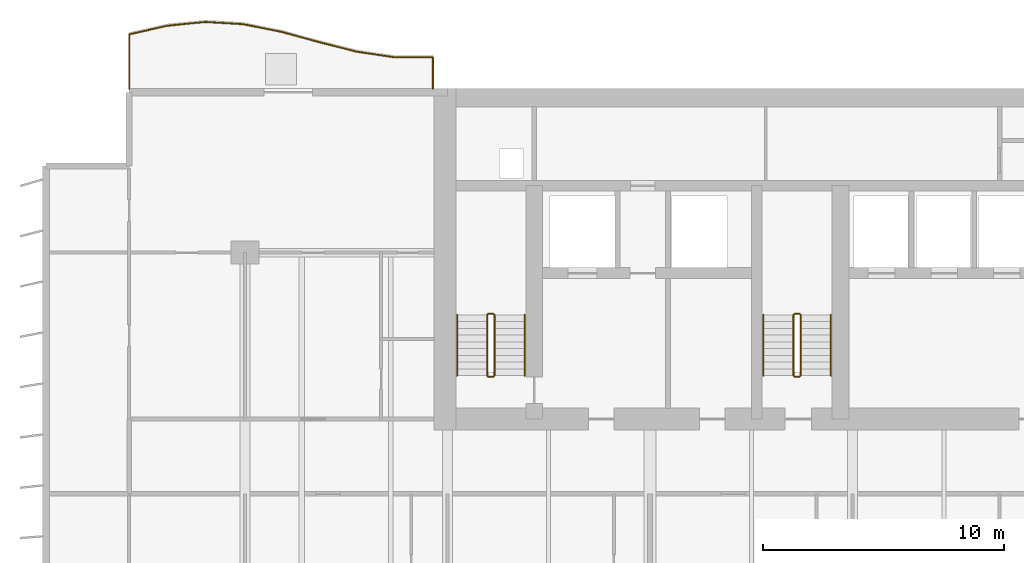
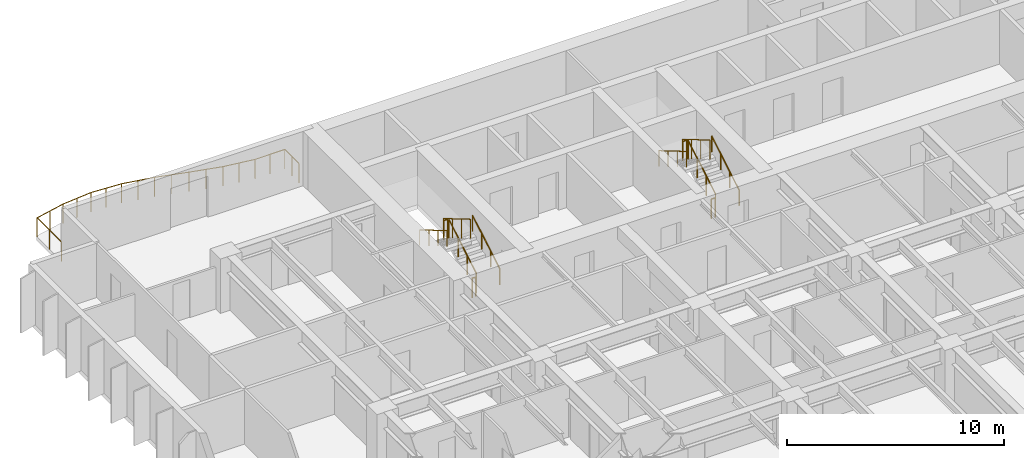
# One storey, part 16 of 18: 13 railings.
"""IFC4 building model written with IfcOpenShell, lengths in metres."""

from ifc_helpers import new_model, si_unit, direction, frame, origin, origin_2d, place, context, subcontext, project, spatial, circle, extrude, material, type_object, element, save


model = new_model("IFC4")

# Units and contexts
model_context = context("Model", 3, precision=1e-05, world=origin(), true_north=direction((0.0, 1.0)))
body_context = subcontext(model_context, "Body", "Model", "MODEL_VIEW")
ifc_project = project(units=[si_unit("LENGTHUNIT", "METRE"), si_unit("AREAUNIT", "SQUARE_METRE"), si_unit("VOLUMEUNIT", "CUBIC_METRE"), si_unit("PLANEANGLEUNIT", "RADIAN"), si_unit("MASSUNIT", "GRAM", prefix="KILO")], contexts=[model_context])

# Site, building, storey
site_placement = place(None, origin())
site = spatial("IfcSite", under=ifc_project, at=site_placement, CompositionType="ELEMENT")
building_placement = place(site_placement, origin())
building = spatial("IfcBuilding", under=site, at=building_placement, Name="Caelmar Bay Residences", CompositionType="ELEMENT")
storey_placement = place(building_placement, frame((0.0, 0.0, 56.39990234375)))
storey = spatial("IfcBuildingStorey", under=building, at=storey_placement, Name="L14", CompositionType="ELEMENT", Elevation=56.39990234375)

# Railings
ifc_material_1 = material(Name="Anodised bronze handrail with laminated hurricane glass infill", Category="glass")
railing_type_1 = type_object("IfcRailingType", Name="RL-BAL-1100", PredefinedType="BALUSTRADE", material=ifc_material_1)
railing_1_placement = place(storey_placement, frame((17.699951171875, 50.60009765625, 0.0)))
element("IfcRailing", 1, at=railing_1_placement, inside=storey, type_object=railing_type_1, Name="L14 north_west Balcony Balustrade", PredefinedType="BALUSTRADE", context=body_context, shape_type="SweptSolid", body=[
    extrude(circle(Radius=0.02392578125, at=origin_2d()), frame((0.0, 0.0, 1.076171875), z_axis=(0.0, 1.0, 0.0), x_axis=(-1.0, 0.0, 0.0)), (0.0, 0.0, 1.0), 1.306640625),
    extrude(circle(Radius=0.02392578125, at=origin_2d()), frame((0.0, 1.306640625, 1.076171875), z_axis=(-0.999985282216, -0.005425435572, 0.0), x_axis=(0.005425435572, -0.999985282216, 0.0)), (0.0, 0.0, 1.0), 1.574951171875),
    extrude(circle(Radius=0.02392578125, at=origin_2d()), frame((-1.574951171875, 1.298095703125, 1.076171875), z_axis=(-0.989085424224, 0.147343216971, 0.0), x_axis=(-0.147343216971, -0.989085424224, 0.0)), (0.0, 0.0, 1.0), 1.59228515625),
    extrude(circle(Radius=0.02392578125, at=origin_2d()), frame((-3.14990234375, 1.53271484375, 1.076171875), z_axis=(-0.969386499063, 0.245539844903, 0.0), x_axis=(-0.245539844903, -0.969386499063, 0.0)), (0.0, 0.0, 1.0), 1.624755859375),
    extrude(circle(Radius=0.02392578125, at=origin_2d()), frame((-4.724853515625, 1.931640625, 1.076171875), z_axis=(-0.964901735342, 0.262611197654, 0.0), x_axis=(-0.262611197654, -0.964901735342, 0.0)), (0.0, 0.0, 1.0), 1.632568359375),
    extrude(circle(Radius=0.02392578125, at=origin_2d()), frame((-6.300048828125, 2.3603515625, 1.076171875), z_axis=(-0.980703271668, 0.195502155846, 0.0), x_axis=(-0.195502155846, -0.980703271668, 0.0)), (0.0, 0.0, 1.0), 1.60595703125),
    extrude(circle(Radius=0.02392578125, at=origin_2d()), frame((-7.875, 2.67431640625, 1.076171875), z_axis=(-0.99825135222, 0.059112078212, 0.0), x_axis=(-0.059112078212, -0.99825135222, 0.0)), (0.0, 0.0, 1.0), 1.57763671875),
    extrude(circle(Radius=0.02392578125, at=origin_2d()), frame((-9.449951171875, 2.767578125, 1.076171875), z_axis=(-0.994962082578, -0.100251953755, 0.0), x_axis=(0.100251953755, -0.994962082578, 0.0)), (0.0, 0.0, 1.0), 1.5830078125),
    extrude(circle(Radius=0.02392578125, at=origin_2d()), frame((-11.02490234375, 2.60888671875, 1.076171875), z_axis=(-0.975235218477, -0.221170225489, 0.0), x_axis=(0.221170225489, -0.975235218477, 0.0)), (0.0, 0.0, 1.0), 1.614990234375),
    extrude(circle(Radius=0.02392578125, at=origin_2d()), frame((-12.599853515625, 2.251708984375, 1.076171875), z_axis=(0.0, -1.0, 0.0), x_axis=(1.0, 0.0, 0.0)), (0.0, 0.0, 1.0), 2.251708984375),
    extrude(circle(Radius=0.02099609375, at=origin_2d()), origin(), (0.0, 0.0, 1.0), 1.052001953125),
    extrude(circle(Radius=0.02099609375, at=origin_2d()), frame((0.0, 0.6533203125, 0.0)), (0.0, 0.0, 1.0), 1.052001953125),
    extrude(circle(Radius=0.02099609375, at=origin_2d()), frame((0.0, 1.306640625, 0.0)), (0.0, 0.0, 1.0), 1.052001953125),
    extrude(circle(Radius=0.02099609375, at=origin_2d()), frame((-0.78759765625, 1.30224609375, 0.0)), (0.0, 0.0, 1.0), 1.052001953125),
    extrude(circle(Radius=0.02099609375, at=origin_2d()), frame((-1.574951171875, 1.298095703125, 0.0)), (0.0, 0.0, 1.0), 1.052001953125),
    extrude(circle(Radius=0.02099609375, at=origin_2d()), frame((-2.3623046875, 1.41552734375, 0.0)), (0.0, 0.0, 1.0), 1.052001953125),
    extrude(circle(Radius=0.02099609375, at=origin_2d()), frame((-3.14990234375, 1.53271484375, 0.0)), (0.0, 0.0, 1.0), 1.052001953125),
    extrude(circle(Radius=0.02099609375, at=origin_2d()), frame((-3.9375, 1.732177734375, 0.0)), (0.0, 0.0, 1.0), 1.052001953125),
    extrude(circle(Radius=0.02099609375, at=origin_2d()), frame((-4.724853515625, 1.931640625, 0.0)), (0.0, 0.0, 1.0), 1.052001953125),
    extrude(circle(Radius=0.02099609375, at=origin_2d()), frame((-5.512451171875, 2.14599609375, 0.0)), (0.0, 0.0, 1.0), 1.052001953125),
    extrude(circle(Radius=0.02099609375, at=origin_2d()), frame((-6.300048828125, 2.3603515625, 0.0)), (0.0, 0.0, 1.0), 1.052001953125),
    extrude(circle(Radius=0.02099609375, at=origin_2d()), frame((-7.08740234375, 2.517333984375, 0.0)), (0.0, 0.0, 1.0), 1.052001953125),
    extrude(circle(Radius=0.02099609375, at=origin_2d()), frame((-7.875, 2.67431640625, 0.0)), (0.0, 0.0, 1.0), 1.052001953125),
    extrude(circle(Radius=0.02099609375, at=origin_2d()), frame((-8.66259765625, 2.720947265625, 0.0)), (0.0, 0.0, 1.0), 1.052001953125),
    extrude(circle(Radius=0.02099609375, at=origin_2d()), frame((-9.449951171875, 2.767578125, 0.0)), (0.0, 0.0, 1.0), 1.052001953125),
    extrude(circle(Radius=0.02099609375, at=origin_2d()), frame((-10.2373046875, 2.688232421875, 0.0)), (0.0, 0.0, 1.0), 1.052001953125),
    extrude(circle(Radius=0.02099609375, at=origin_2d()), frame((-11.02490234375, 2.60888671875, 0.0)), (0.0, 0.0, 1.0), 1.052001953125),
    extrude(circle(Radius=0.02099609375, at=origin_2d()), frame((-11.8125, 2.43017578125, 0.0)), (0.0, 0.0, 1.0), 1.052001953125),
    extrude(circle(Radius=0.02099609375, at=origin_2d()), frame((-12.599853515625, 2.251708984375, 0.0)), (0.0, 0.0, 1.0), 1.052001953125),
    extrude(circle(Radius=0.02099609375, at=origin_2d()), frame((-12.599853515625, 1.1259765625, 0.0)), (0.0, 0.0, 1.0), 1.052001953125),
    extrude(circle(Radius=0.02099609375, at=origin_2d()), frame((-12.599853515625, 0.0, 0.0)), (0.0, 0.0, 1.0), 1.052001953125),
])
ifc_material_2 = material(Name="Painted galvanized steel stair guard 1100 mm", Category="steel")
railing_type_2 = type_object("IfcRailingType", Name="RL-GRD-1100", PredefinedType="GUARDRAIL", material=ifc_material_2)
railing_2_placement = place(storey_placement, frame((20.25, 38.699951171875, 0.1650390625)))
element("IfcRailing", 2, at=railing_2_placement, inside=storey, type_object=railing_type_2, Name="L14 ST1 stair guard 1", PredefinedType="GUARDRAIL", context=body_context, shape_type="SweptSolid", body=[
    extrude(circle(Radius=0.02392578125, at=origin_2d()), frame((0.0, 0.0, 1.076171875), z_axis=(0.0, 0.86152411907, 0.507716645641), x_axis=(-1.0, 0.0, 0.0)), (0.0, 0.0, 1.0), 2.925048828125),
    extrude(circle(Radius=0.02099609375, at=origin_2d()), origin(), (0.0, 0.0, 1.0), 1.052001953125),
    extrude(circle(Radius=0.02099609375, at=origin_2d()), frame((0.0, 0.840087890625, 0.4951171875)), (0.0, 0.0, 1.0), 1.052001953125),
    extrude(circle(Radius=0.02099609375, at=origin_2d()), frame((0.0, 1.679931640625, 0.989990234375)), (0.0, 0.0, 1.0), 1.052001953125),
    extrude(circle(Radius=0.02099609375, at=origin_2d()), frame((0.0, 2.52001953125, 1.485107421875)), (0.0, 0.0, 1.0), 1.052001953125),
])
railing_3_placement = place(storey_placement, frame((20.199951171875, 41.27001953125, 1.650146484375)))
element("IfcRailing", 3, at=railing_3_placement, inside=storey, type_object=railing_type_2, Name="L14 ST1 stair guard 2", PredefinedType="GUARDRAIL", context=body_context, shape_type="SweptSolid", body=[
    extrude(circle(Radius=0.02392578125, at=origin_2d()), frame((0.0, 0.0, 1.076171875), z_axis=(-1.0, 0.0, 0.0), x_axis=(0.0, -1.0, 0.0)), (0.0, 0.0, 1.0), 0.199951171875),
    extrude(circle(Radius=0.02099609375, at=origin_2d()), origin(), (0.0, 0.0, 1.0), 1.052001953125),
    extrude(circle(Radius=0.02099609375, at=origin_2d()), frame((-0.199951171875, 0.0, 0.0)), (0.0, 0.0, 1.0), 1.052001953125),
])
railing_4_placement = place(storey_placement, frame((19.949951171875, 41.219970703125, 1.815185546875)))
element("IfcRailing", 4, at=railing_4_placement, inside=storey, type_object=railing_type_2, Name="L14 ST1 stair guard 3", PredefinedType="GUARDRAIL", context=body_context, shape_type="SweptSolid", body=[
    extrude(circle(Radius=0.02392578125, at=origin_2d()), frame((0.0, 0.0, 1.076171875), z_axis=(0.0, -0.861560626758, 0.507654692109), x_axis=(1.0, 0.0, 0.0)), (0.0, 0.0, 1.0), 2.925048828125),
    extrude(circle(Radius=0.02099609375, at=origin_2d()), origin(), (0.0, 0.0, 1.0), 1.052001953125),
    extrude(circle(Radius=0.02099609375, at=origin_2d()), frame((0.0, -0.840087890625, 0.494873046875)), (0.0, 0.0, 1.0), 1.052001953125),
    extrude(circle(Radius=0.02099609375, at=origin_2d()), frame((0.0, -1.679931640625, 0.989990234375)), (0.0, 0.0, 1.0), 1.052001953125),
    extrude(circle(Radius=0.02099609375, at=origin_2d()), frame((0.0, -2.52001953125, 1.48486328125)), (0.0, 0.0, 1.0), 1.052001953125),
])
railing_5_placement = place(storey_placement, frame((20.199951171875, 38.64990234375, 0.0)))
element("IfcRailing", 5, at=railing_5_placement, inside=storey, type_object=railing_type_2, Name="L14 ST1 stair guard 4", PredefinedType="GUARDRAIL", context=body_context, shape_type="SweptSolid", body=[
    extrude(circle(Radius=0.02392578125, at=origin_2d()), frame((0.0, 0.0, 1.076171875), z_axis=(-1.0, 0.0, 0.0), x_axis=(0.0, -1.0, 0.0)), (0.0, 0.0, 1.0), 0.199951171875),
    extrude(circle(Radius=0.02099609375, at=origin_2d()), origin(), (0.0, 0.0, 1.0), 1.052001953125),
    extrude(circle(Radius=0.02099609375, at=origin_2d()), frame((-0.199951171875, 0.0, 0.0)), (0.0, 0.0, 1.0), 1.052001953125),
])
railing_6_placement = place(storey_placement, frame((32.949951171875, 38.699951171875, 0.1650390625)))
element("IfcRailing", 6, at=railing_6_placement, inside=storey, type_object=railing_type_2, Name="L14 ST3 stair guard 1", PredefinedType="GUARDRAIL", context=body_context, shape_type="SweptSolid", body=[
    extrude(circle(Radius=0.02392578125, at=origin_2d()), frame((0.0, 0.0, 1.076171875), z_axis=(0.0, 0.86152411907, 0.507716645641), x_axis=(-1.0, 0.0, 0.0)), (0.0, 0.0, 1.0), 2.925048828125),
    extrude(circle(Radius=0.02099609375, at=origin_2d()), origin(), (0.0, 0.0, 1.0), 1.052001953125),
    extrude(circle(Radius=0.02099609375, at=origin_2d()), frame((0.0, 0.840087890625, 0.4951171875)), (0.0, 0.0, 1.0), 1.052001953125),
    extrude(circle(Radius=0.02099609375, at=origin_2d()), frame((0.0, 1.679931640625, 0.989990234375)), (0.0, 0.0, 1.0), 1.052001953125),
    extrude(circle(Radius=0.02099609375, at=origin_2d()), frame((0.0, 2.52001953125, 1.485107421875)), (0.0, 0.0, 1.0), 1.052001953125),
])
railing_7_placement = place(storey_placement, frame((32.89990234375, 41.27001953125, 1.650146484375)))
element("IfcRailing", 7, at=railing_7_placement, inside=storey, type_object=railing_type_2, Name="L14 ST3 stair guard 2", PredefinedType="GUARDRAIL", context=body_context, shape_type="SweptSolid", body=[
    extrude(circle(Radius=0.02392578125, at=origin_2d()), frame((0.0, 0.0, 1.076171875), z_axis=(-1.0, 0.0, 0.0), x_axis=(0.0, -1.0, 0.0)), (0.0, 0.0, 1.0), 0.199951171875),
    extrude(circle(Radius=0.02099609375, at=origin_2d()), origin(), (0.0, 0.0, 1.0), 1.052001953125),
    extrude(circle(Radius=0.02099609375, at=origin_2d()), frame((-0.199951171875, 0.0, 0.0)), (0.0, 0.0, 1.0), 1.052001953125),
])
railing_8_placement = place(storey_placement, frame((32.64990234375, 41.219970703125, 1.815185546875)))
element("IfcRailing", 8, at=railing_8_placement, inside=storey, type_object=railing_type_2, Name="L14 ST3 stair guard 3", PredefinedType="GUARDRAIL", context=body_context, shape_type="SweptSolid", body=[
    extrude(circle(Radius=0.02392578125, at=origin_2d()), frame((0.0, 0.0, 1.076171875), z_axis=(0.0, -0.861560626758, 0.507654692109), x_axis=(1.0, 0.0, 0.0)), (0.0, 0.0, 1.0), 2.925048828125),
    extrude(circle(Radius=0.02099609375, at=origin_2d()), origin(), (0.0, 0.0, 1.0), 1.052001953125),
    extrude(circle(Radius=0.02099609375, at=origin_2d()), frame((0.0, -0.840087890625, 0.494873046875)), (0.0, 0.0, 1.0), 1.052001953125),
    extrude(circle(Radius=0.02099609375, at=origin_2d()), frame((0.0, -1.679931640625, 0.989990234375)), (0.0, 0.0, 1.0), 1.052001953125),
    extrude(circle(Radius=0.02099609375, at=origin_2d()), frame((0.0, -2.52001953125, 1.48486328125)), (0.0, 0.0, 1.0), 1.052001953125),
])
railing_9_placement = place(storey_placement, frame((32.89990234375, 38.64990234375, 0.0)))
element("IfcRailing", 9, at=railing_9_placement, inside=storey, type_object=railing_type_2, Name="L14 ST3 stair guard 4", PredefinedType="GUARDRAIL", context=body_context, shape_type="SweptSolid", body=[
    extrude(circle(Radius=0.02392578125, at=origin_2d()), frame((0.0, 0.0, 1.076171875), z_axis=(-1.0, 0.0, 0.0), x_axis=(0.0, -1.0, 0.0)), (0.0, 0.0, 1.0), 0.199951171875),
    extrude(circle(Radius=0.02099609375, at=origin_2d()), origin(), (0.0, 0.0, 1.0), 1.052001953125),
    extrude(circle(Radius=0.02099609375, at=origin_2d()), frame((-0.199951171875, 0.0, 0.0)), (0.0, 0.0, 1.0), 1.052001953125),
])
ifc_material_3 = material(Name="Brushed bronze stainless-steel tubular handrail 900 mm", Category="steel")
railing_type_3 = type_object("IfcRailingType", Name="RL-HND-900", PredefinedType="HANDRAIL", material=ifc_material_3)
railing_10_placement = place(storey_placement, frame((21.5, 38.699951171875, 0.1650390625)))
element("IfcRailing", 10, at=railing_10_placement, inside=storey, type_object=railing_type_3, Name="L14 ST1 stair handrail 1", PredefinedType="HANDRAIL", context=body_context, shape_type="SweptSolid", body=[
    extrude(circle(Radius=0.02392578125, at=origin_2d()), frame((0.0, 0.0, 0.8759765625), z_axis=(0.0, 0.86152411907, 0.507716645641), x_axis=(-1.0, 0.0, 0.0)), (0.0, 0.0, 1.0), 2.925048828125),
    extrude(circle(Radius=0.02099609375, at=origin_2d()), origin(), (0.0, 0.0, 1.0), 0.851806640625),
    extrude(circle(Radius=0.02099609375, at=origin_2d()), frame((0.0, 0.840087890625, 0.4951171875)), (0.0, 0.0, 1.0), 0.851806640625),
    extrude(circle(Radius=0.02099609375, at=origin_2d()), frame((0.0, 1.679931640625, 0.989990234375)), (0.0, 0.0, 1.0), 0.851806640625),
    extrude(circle(Radius=0.02099609375, at=origin_2d()), frame((0.0, 2.52001953125, 1.485107421875)), (0.0, 0.0, 1.0), 0.851806640625),
])
railing_11_placement = place(storey_placement, frame((18.699951171875, 41.219970703125, 1.815185546875)))
element("IfcRailing", 11, at=railing_11_placement, inside=storey, type_object=railing_type_3, Name="L14 ST1 stair handrail 2", PredefinedType="HANDRAIL", context=body_context, shape_type="SweptSolid", body=[
    extrude(circle(Radius=0.02392578125, at=origin_2d()), frame((0.0, 0.0, 0.8759765625), z_axis=(0.0, -0.861560626758, 0.507654692109), x_axis=(1.0, 0.0, 0.0)), (0.0, 0.0, 1.0), 2.925048828125),
    extrude(circle(Radius=0.02099609375, at=origin_2d()), origin(), (0.0, 0.0, 1.0), 0.851806640625),
    extrude(circle(Radius=0.02099609375, at=origin_2d()), frame((0.0, -0.840087890625, 0.494873046875)), (0.0, 0.0, 1.0), 0.851806640625),
    extrude(circle(Radius=0.02099609375, at=origin_2d()), frame((0.0, -1.679931640625, 0.989990234375)), (0.0, 0.0, 1.0), 0.851806640625),
    extrude(circle(Radius=0.02099609375, at=origin_2d()), frame((0.0, -2.52001953125, 1.48486328125)), (0.0, 0.0, 1.0), 0.851806640625),
])
railing_12_placement = place(storey_placement, frame((34.199951171875, 38.699951171875, 0.1650390625)))
element("IfcRailing", 12, at=railing_12_placement, inside=storey, type_object=railing_type_3, Name="L14 ST3 stair handrail 1", PredefinedType="HANDRAIL", context=body_context, shape_type="SweptSolid", body=[
    extrude(circle(Radius=0.02392578125, at=origin_2d()), frame((0.0, 0.0, 0.8759765625), z_axis=(0.0, 0.86152411907, 0.507716645641), x_axis=(-1.0, 0.0, 0.0)), (0.0, 0.0, 1.0), 2.925048828125),
    extrude(circle(Radius=0.02099609375, at=origin_2d()), origin(), (0.0, 0.0, 1.0), 0.851806640625),
    extrude(circle(Radius=0.02099609375, at=origin_2d()), frame((0.0, 0.840087890625, 0.4951171875)), (0.0, 0.0, 1.0), 0.851806640625),
    extrude(circle(Radius=0.02099609375, at=origin_2d()), frame((0.0, 1.679931640625, 0.989990234375)), (0.0, 0.0, 1.0), 0.851806640625),
    extrude(circle(Radius=0.02099609375, at=origin_2d()), frame((0.0, 2.52001953125, 1.485107421875)), (0.0, 0.0, 1.0), 0.851806640625),
])
railing_13_placement = place(storey_placement, frame((31.39990234375, 41.219970703125, 1.815185546875)))
element("IfcRailing", 13, at=railing_13_placement, inside=storey, type_object=railing_type_3, Name="L14 ST3 stair handrail 2", PredefinedType="HANDRAIL", context=body_context, shape_type="SweptSolid", body=[
    extrude(circle(Radius=0.02392578125, at=origin_2d()), frame((0.0, 0.0, 0.8759765625), z_axis=(0.0, -0.861560626758, 0.507654692109), x_axis=(1.0, 0.0, 0.0)), (0.0, 0.0, 1.0), 2.925048828125),
    extrude(circle(Radius=0.02099609375, at=origin_2d()), origin(), (0.0, 0.0, 1.0), 0.851806640625),
    extrude(circle(Radius=0.02099609375, at=origin_2d()), frame((0.0, -0.840087890625, 0.494873046875)), (0.0, 0.0, 1.0), 0.851806640625),
    extrude(circle(Radius=0.02099609375, at=origin_2d()), frame((0.0, -1.679931640625, 0.989990234375)), (0.0, 0.0, 1.0), 0.851806640625),
    extrude(circle(Radius=0.02099609375, at=origin_2d()), frame((0.0, -2.52001953125, 1.48486328125)), (0.0, 0.0, 1.0), 0.851806640625),
])

save(model, "model.ifc")
